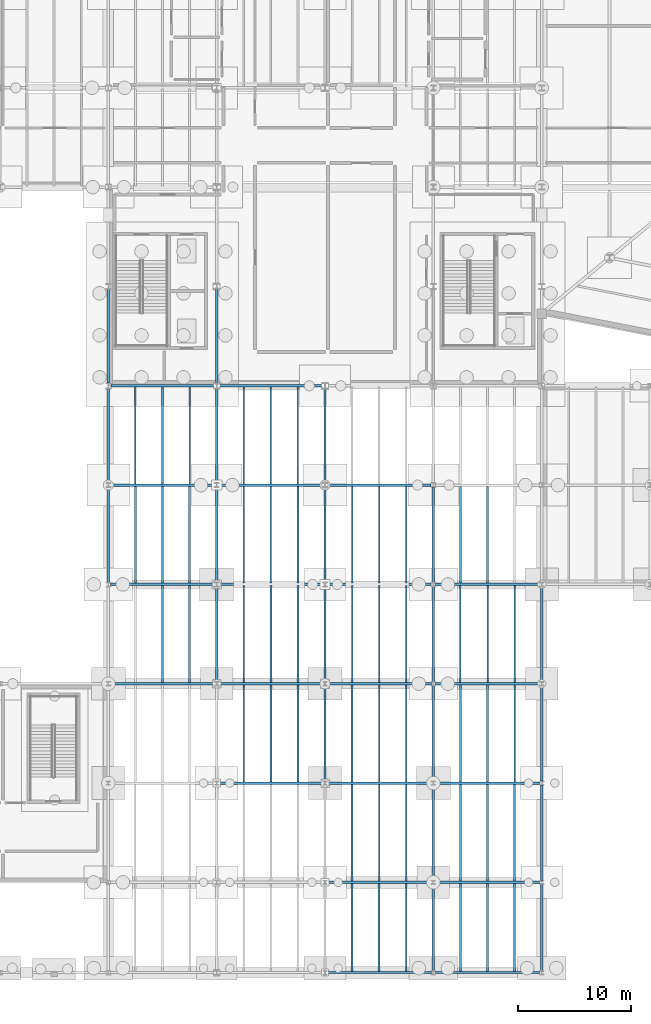
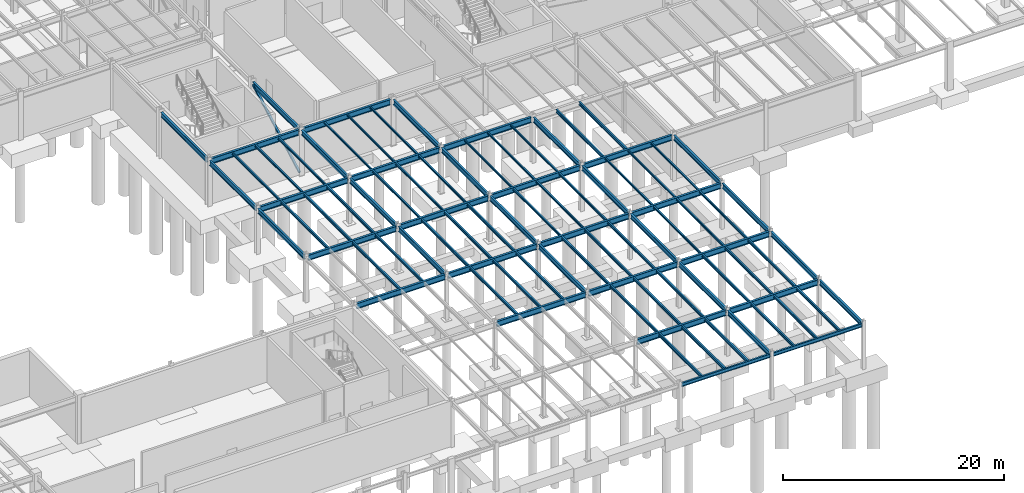
# One storey, part 19 of 48: 89 beams, 1 member.
"""IFC4 building model written with IfcOpenShell, lengths in metres."""

from ifc_helpers import new_model, si_unit, direction, frame, origin, origin_2d, place, context, subcontext, project, spatial, hollow_rectangle, i_section, extrude, material, material_profile, profile_set, type_object, element, save


model = new_model("IFC4")

# Units and contexts
model_context = context("Model", 3, precision=1e-05, world=origin(), true_north=direction((0.0, 1.0)))
body_context = subcontext(model_context, "Body", "Model", "MODEL_VIEW")
ifc_project = project(units=[si_unit("LENGTHUNIT", "METRE"), si_unit("AREAUNIT", "SQUARE_METRE"), si_unit("VOLUMEUNIT", "CUBIC_METRE"), si_unit("PLANEANGLEUNIT", "RADIAN"), si_unit("MASSUNIT", "GRAM", prefix="KILO")], contexts=[model_context])

# Site, building, storey
site_placement = place(None, origin())
site = spatial("IfcSite", under=ifc_project, at=site_placement, CompositionType="ELEMENT")
building_placement = place(site_placement, origin())
building = spatial("IfcBuilding", under=site, at=building_placement, Name="Sarnbrook Museum", CompositionType="ELEMENT")
storey_placement = place(building_placement, frame((0.0, 0.0, -5.39990234375)))
storey = spatial("IfcBuildingStorey", under=building, at=storey_placement, Name="B1", CompositionType="ELEMENT", Elevation=-5.39990234375)

# Beams
ifc_material_1 = material(Name="Structural Steel Grade 300PLUS (AS/NZS 3679.1, fy = 280 MPa for 17 < t <= 40 mm, 300 MPa for t <= 17 mm)", Category="steel")
ifc_material_profile_1 = material_profile(ifc_material_1, i_section(OverallWidth=0.208984375, OverallDepth=0.532958984375, WebThickness=0.01025390625, FlangeThickness=0.015625, FilletRadius=0.013916015625, at=origin_2d()), Name="530UB92.4")
ifc_profile_set_1 = profile_set([ifc_material_profile_1], Name="Structural Steel Grade 300PLUS (AS/NZS 3679.1, fy = 280 MPa for 17 < t <= 40 mm, 300 MPa for t <= 17 mm)")
beam_type_1 = type_object("IfcBeamType", Name="BM-UB530", PredefinedType="BEAM", material=ifc_profile_set_1)
beam_1_placement = place(storey_placement, frame((80.800048828125, 39.39111328125, 4.83349609375), z_axis=(0.0, 1.0, 0.0), x_axis=(-1.0, 0.0, 0.0)))
element("IfcBeam", 1, at=beam_1_placement, inside=storey, type_object=beam_type_1, Name="Girder 9:E-F B1", PredefinedType="BEAM", context=body_context, shape_type="SweptSolid", body=[
    extrude(i_section(OverallWidth=0.208984375, OverallDepth=0.532958984375, WebThickness=0.01025390625, FlangeThickness=0.015625, FilletRadius=0.013916015625, at=origin_2d()), origin(), (0.0, 0.0, 1.0), 8.41796875),
])
beam_2_placement = place(storey_placement, frame((80.800048828125, 48.19091796875, 4.83349609375), z_axis=(0.0, 1.0, 0.0), x_axis=(-1.0, 0.0, 0.0)))
element("IfcBeam", 2, at=beam_2_placement, inside=storey, type_object=beam_type_1, Name="Girder 9:F-G B1", PredefinedType="BEAM", context=body_context, shape_type="SweptSolid", body=[
    extrude(i_section(OverallWidth=0.208984375, OverallDepth=0.532958984375, WebThickness=0.01025390625, FlangeThickness=0.015625, FilletRadius=0.013916015625, at=origin_2d()), origin(), (0.0, 0.0, 1.0), 8.364013671875),
])
beam_3_placement = place(storey_placement, frame((80.800048828125, 57.044921875, 4.83349609375), z_axis=(0.0, 1.0, 0.0), x_axis=(-1.0, 0.0, 0.0)))
element("IfcBeam", 3, at=beam_3_placement, inside=storey, type_object=beam_type_1, Name="Girder 9:G-H B1", PredefinedType="BEAM", context=body_context, shape_type="SweptSolid", body=[
    extrude(i_section(OverallWidth=0.208984375, OverallDepth=0.532958984375, WebThickness=0.01025390625, FlangeThickness=0.015625, FilletRadius=0.013916015625, at=origin_2d()), origin(), (0.0, 0.0, 1.0), 8.31005859375),
])
beam_4_placement = place(storey_placement, frame((90.39990234375, 30.5654296875, 4.83349609375), z_axis=(0.0, 1.0, 0.0), x_axis=(-1.0, 0.0, 0.0)))
element("IfcBeam", 4, at=beam_4_placement, inside=storey, type_object=beam_type_1, Name="Girder 10:D-E B1", PredefinedType="BEAM", context=body_context, shape_type="SweptSolid", body=[
    extrude(i_section(OverallWidth=0.208984375, OverallDepth=0.532958984375, WebThickness=0.01025390625, FlangeThickness=0.015625, FilletRadius=0.013916015625, at=origin_2d()), origin(), (0.0, 0.0, 1.0), 8.443603515625),
])
beam_5_placement = place(storey_placement, frame((90.39990234375, 39.39111328125, 4.83349609375), z_axis=(0.0, 1.0, 0.0), x_axis=(-1.0, 0.0, 0.0)))
element("IfcBeam", 5, at=beam_5_placement, inside=storey, type_object=beam_type_1, Name="Girder 10:E-F B1", PredefinedType="BEAM", context=body_context, shape_type="SweptSolid", body=[
    extrude(i_section(OverallWidth=0.208984375, OverallDepth=0.532958984375, WebThickness=0.01025390625, FlangeThickness=0.015625, FilletRadius=0.013916015625, at=origin_2d()), origin(), (0.0, 0.0, 1.0), 8.41796875),
])
beam_6_placement = place(storey_placement, frame((90.39990234375, 48.19091796875, 4.83349609375), z_axis=(0.0, 1.0, 0.0), x_axis=(-1.0, 0.0, 0.0)))
element("IfcBeam", 6, at=beam_6_placement, inside=storey, type_object=beam_type_1, Name="Girder 10:F-G B1", PredefinedType="BEAM", context=body_context, shape_type="SweptSolid", body=[
    extrude(i_section(OverallWidth=0.208984375, OverallDepth=0.532958984375, WebThickness=0.01025390625, FlangeThickness=0.015625, FilletRadius=0.013916015625, at=origin_2d()), origin(), (0.0, 0.0, 1.0), 8.364013671875),
])
beam_7_placement = place(storey_placement, frame((90.39990234375, 57.044921875, 4.83349609375), z_axis=(0.0, 1.0, 0.0), x_axis=(-1.0, 0.0, 0.0)))
element("IfcBeam", 7, at=beam_7_placement, inside=storey, type_object=beam_type_1, Name="Girder 10:G-H B1", PredefinedType="BEAM", context=body_context, shape_type="SweptSolid", body=[
    extrude(i_section(OverallWidth=0.208984375, OverallDepth=0.532958984375, WebThickness=0.01025390625, FlangeThickness=0.015625, FilletRadius=0.013916015625, at=origin_2d()), origin(), (0.0, 0.0, 1.0), 8.31005859375),
])
beam_8_placement = place(storey_placement, frame((100.0, 21.765380859375, 4.83349609375), z_axis=(0.0, 1.0, 0.0), x_axis=(-1.0, 0.0, 0.0)))
element("IfcBeam", 8, at=beam_8_placement, inside=storey, type_object=beam_type_1, Name="Girder 11:C-D B1", PredefinedType="BEAM", context=body_context, shape_type="SweptSolid", body=[
    extrude(i_section(OverallWidth=0.208984375, OverallDepth=0.532958984375, WebThickness=0.01025390625, FlangeThickness=0.015625, FilletRadius=0.013916015625, at=origin_2d()), origin(), (0.0, 0.0, 1.0), 8.46923828125),
])
beam_9_placement = place(storey_placement, frame((100.0, 30.5654296875, 4.83349609375), z_axis=(0.0, 1.0, 0.0), x_axis=(-1.0, 0.0, 0.0)))
element("IfcBeam", 9, at=beam_9_placement, inside=storey, type_object=beam_type_1, Name="Girder 11:D-E B1", PredefinedType="BEAM", context=body_context, shape_type="SweptSolid", body=[
    extrude(i_section(OverallWidth=0.208984375, OverallDepth=0.532958984375, WebThickness=0.01025390625, FlangeThickness=0.015625, FilletRadius=0.013916015625, at=origin_2d()), origin(), (0.0, 0.0, 1.0), 8.443603515625),
])
beam_10_placement = place(storey_placement, frame((100.0, 39.39111328125, 4.83349609375), z_axis=(0.0, 1.0, 0.0), x_axis=(-1.0, 0.0, 0.0)))
element("IfcBeam", 10, at=beam_10_placement, inside=storey, type_object=beam_type_1, Name="Girder 11:E-F B1", PredefinedType="BEAM", context=body_context, shape_type="SweptSolid", body=[
    extrude(i_section(OverallWidth=0.208984375, OverallDepth=0.532958984375, WebThickness=0.01025390625, FlangeThickness=0.015625, FilletRadius=0.013916015625, at=origin_2d()), origin(), (0.0, 0.0, 1.0), 8.41796875),
])
beam_11_placement = place(storey_placement, frame((100.0, 48.19091796875, 4.83349609375), z_axis=(0.0, 1.0, 0.0), x_axis=(-1.0, 0.0, 0.0)))
element("IfcBeam", 11, at=beam_11_placement, inside=storey, type_object=beam_type_1, Name="Girder 11:F-G B1", PredefinedType="BEAM", context=body_context, shape_type="SweptSolid", body=[
    extrude(i_section(OverallWidth=0.208984375, OverallDepth=0.532958984375, WebThickness=0.01025390625, FlangeThickness=0.015625, FilletRadius=0.013916015625, at=origin_2d()), origin(), (0.0, 0.0, 1.0), 8.364013671875),
])
beam_12_placement = place(storey_placement, frame((109.60009765625, 4.965576171875, 4.83349609375), z_axis=(0.0, 1.0, 0.0), x_axis=(-1.0, 0.0, 0.0)))
element("IfcBeam", 12, at=beam_12_placement, inside=storey, type_object=beam_type_1, Name="Girder 12:A-B B1", PredefinedType="BEAM", context=body_context, shape_type="SweptSolid", body=[
    extrude(i_section(OverallWidth=0.208984375, OverallDepth=0.532958984375, WebThickness=0.01025390625, FlangeThickness=0.015625, FilletRadius=0.013916015625, at=origin_2d()), origin(), (0.0, 0.0, 1.0), 7.6689453125),
])
beam_13_placement = place(storey_placement, frame((109.60009765625, 12.965576171875, 4.83349609375), z_axis=(0.0, 1.0, 0.0), x_axis=(-1.0, 0.0, 0.0)))
element("IfcBeam", 13, at=beam_13_placement, inside=storey, type_object=beam_type_1, Name="Girder 12:B-C B1", PredefinedType="BEAM", context=body_context, shape_type="SweptSolid", body=[
    extrude(i_section(OverallWidth=0.208984375, OverallDepth=0.532958984375, WebThickness=0.01025390625, FlangeThickness=0.015625, FilletRadius=0.013916015625, at=origin_2d()), origin(), (0.0, 0.0, 1.0), 8.468994140625),
])
beam_14_placement = place(storey_placement, frame((109.60009765625, 21.765380859375, 4.83349609375), z_axis=(0.0, 1.0, 0.0), x_axis=(-1.0, 0.0, 0.0)))
element("IfcBeam", 14, at=beam_14_placement, inside=storey, type_object=beam_type_1, Name="Girder 12:C-D B1", PredefinedType="BEAM", context=body_context, shape_type="SweptSolid", body=[
    extrude(i_section(OverallWidth=0.208984375, OverallDepth=0.532958984375, WebThickness=0.01025390625, FlangeThickness=0.015625, FilletRadius=0.013916015625, at=origin_2d()), origin(), (0.0, 0.0, 1.0), 8.46923828125),
])
beam_15_placement = place(storey_placement, frame((109.60009765625, 30.5654296875, 4.83349609375), z_axis=(0.0, 1.0, 0.0), x_axis=(-1.0, 0.0, 0.0)))
element("IfcBeam", 15, at=beam_15_placement, inside=storey, type_object=beam_type_1, Name="Girder 12:D-E B1", PredefinedType="BEAM", context=body_context, shape_type="SweptSolid", body=[
    extrude(i_section(OverallWidth=0.208984375, OverallDepth=0.532958984375, WebThickness=0.01025390625, FlangeThickness=0.015625, FilletRadius=0.013916015625, at=origin_2d()), origin(), (0.0, 0.0, 1.0), 8.443603515625),
])
beam_16_placement = place(storey_placement, frame((109.60009765625, 39.39111328125, 4.83349609375), z_axis=(0.0, 1.0, 0.0), x_axis=(-1.0, 0.0, 0.0)))
element("IfcBeam", 16, at=beam_16_placement, inside=storey, type_object=beam_type_1, Name="Girder 12:E-F B1", PredefinedType="BEAM", context=body_context, shape_type="SweptSolid", body=[
    extrude(i_section(OverallWidth=0.208984375, OverallDepth=0.532958984375, WebThickness=0.01025390625, FlangeThickness=0.015625, FilletRadius=0.013916015625, at=origin_2d()), origin(), (0.0, 0.0, 1.0), 8.41796875),
])
beam_17_placement = place(storey_placement, frame((119.199951171875, 4.965576171875, 4.83349609375), z_axis=(0.0, 1.0, 0.0), x_axis=(-1.0, 0.0, 0.0)))
element("IfcBeam", 17, at=beam_17_placement, inside=storey, type_object=beam_type_1, Name="Girder 13:A-B B1", PredefinedType="BEAM", context=body_context, shape_type="SweptSolid", body=[
    extrude(i_section(OverallWidth=0.208984375, OverallDepth=0.532958984375, WebThickness=0.01025390625, FlangeThickness=0.015625, FilletRadius=0.013916015625, at=origin_2d()), origin(), (0.0, 0.0, 1.0), 7.6689453125),
])
beam_18_placement = place(storey_placement, frame((119.199951171875, 12.965576171875, 4.83349609375), z_axis=(0.0, 1.0, 0.0), x_axis=(-1.0, 0.0, 0.0)))
element("IfcBeam", 18, at=beam_18_placement, inside=storey, type_object=beam_type_1, Name="Girder 13:B-C B1", PredefinedType="BEAM", context=body_context, shape_type="SweptSolid", body=[
    extrude(i_section(OverallWidth=0.208984375, OverallDepth=0.532958984375, WebThickness=0.01025390625, FlangeThickness=0.015625, FilletRadius=0.013916015625, at=origin_2d()), origin(), (0.0, 0.0, 1.0), 8.468994140625),
])
beam_19_placement = place(storey_placement, frame((119.199951171875, 21.765380859375, 4.83349609375), z_axis=(0.0, 1.0, 0.0), x_axis=(-1.0, 0.0, 0.0)))
element("IfcBeam", 19, at=beam_19_placement, inside=storey, type_object=beam_type_1, Name="Girder 13:C-D B1", PredefinedType="BEAM", context=body_context, shape_type="SweptSolid", body=[
    extrude(i_section(OverallWidth=0.208984375, OverallDepth=0.532958984375, WebThickness=0.01025390625, FlangeThickness=0.015625, FilletRadius=0.013916015625, at=origin_2d()), origin(), (0.0, 0.0, 1.0), 8.46923828125),
])
beam_20_placement = place(storey_placement, frame((119.199951171875, 30.5654296875, 4.83349609375), z_axis=(0.0, 1.0, 0.0), x_axis=(-1.0, 0.0, 0.0)))
element("IfcBeam", 20, at=beam_20_placement, inside=storey, type_object=beam_type_1, Name="Girder 13:D-E B1", PredefinedType="BEAM", context=body_context, shape_type="SweptSolid", body=[
    extrude(i_section(OverallWidth=0.208984375, OverallDepth=0.532958984375, WebThickness=0.01025390625, FlangeThickness=0.015625, FilletRadius=0.013916015625, at=origin_2d()), origin(), (0.0, 0.0, 1.0), 8.443603515625),
])
ifc_material_profile_2 = material_profile(ifc_material_1, i_section(OverallWidth=0.22900390625, OverallDepth=0.612060546875, WebThickness=0.011962890625, FlangeThickness=0.01953125, FilletRadius=0.013916015625, at=origin_2d()), Name="610UB125")
ifc_profile_set_2 = profile_set([ifc_material_profile_2], Name="Structural Steel Grade 300PLUS (AS/NZS 3679.1, fy = 280 MPa for 17 < t <= 40 mm, 300 MPa for t <= 17 mm)")
beam_type_2 = type_object("IfcBeamType", Name="BM-UB610H", PredefinedType="BEAM", material=ifc_profile_set_2)
for number, where, z_axis, x_axis, name in (
    (21, (100.175048828125, 12.800048828125, 4.7939453125), (1.0, 0.0, 0.0), (0.0, 1.0, 0.0), "Girder B:11-12 B1"),
    (22, (109.77490234375, 12.800048828125, 4.7939453125), (1.0, 0.0, 0.0), (0.0, 1.0, 0.0), "Girder B:12-13 B1"),
    (23, (90.574951171875, 21.60009765625, 4.7939453125), (1.0, 0.0, 0.0), (0.0, 1.0, 0.0), "Girder C:10-11 B1"),
    (24, (100.175048828125, 21.60009765625, 4.7939453125), (1.0, 0.0, 0.0), (0.0, 1.0, 0.0), "Girder C:11-12 B1"),
    (25, (109.77490234375, 21.60009765625, 4.7939453125), (1.0, 0.0, 0.0), (0.0, 1.0, 0.0), "Girder C:12-13 B1"),
):
    element("IfcBeam", number, at=place(storey_placement, frame(where, z_axis=z_axis, x_axis=x_axis)), inside=storey, type_object=beam_type_2, Name=name, PredefinedType="BEAM", context=body_context, shape_type="SweptSolid", body=[
        extrude(i_section(OverallWidth=0.22900390625, OverallDepth=0.612060546875, WebThickness=0.011962890625, FlangeThickness=0.01953125, FilletRadius=0.013916015625, at=origin_2d()), origin(), (0.0, 0.0, 1.0), 9.25),
    ])
beam_21_placement = place(storey_placement, frame((81.0, 30.39990234375, 4.7939453125), z_axis=(1.0, 0.0, 0.0), x_axis=(0.0, 1.0, 0.0)))
element("IfcBeam", 26, at=beam_21_placement, inside=storey, type_object=beam_type_2, Name="Girder D:9-10 B1", PredefinedType="BEAM", context=body_context, shape_type="SweptSolid", body=[
    extrude(i_section(OverallWidth=0.22900390625, OverallDepth=0.612060546875, WebThickness=0.011962890625, FlangeThickness=0.01953125, FilletRadius=0.013916015625, at=origin_2d()), origin(), (0.0, 0.0, 1.0), 9.22509765625),
])
for number, where, z_axis, x_axis, name in (
    (27, (90.574951171875, 30.39990234375, 4.7939453125), (1.0, 0.0, 0.0), (0.0, 1.0, 0.0), "Girder D:10-11 B1"),
    (28, (100.175048828125, 30.39990234375, 4.7939453125), (1.0, 0.0, 0.0), (0.0, 1.0, 0.0), "Girder D:11-12 B1"),
    (29, (109.77490234375, 30.39990234375, 4.7939453125), (1.0, 0.0, 0.0), (0.0, 1.0, 0.0), "Girder D:12-13 B1"),
):
    element("IfcBeam", number, at=place(storey_placement, frame(where, z_axis=z_axis, x_axis=x_axis)), inside=storey, type_object=beam_type_2, Name=name, PredefinedType="BEAM", context=body_context, shape_type="SweptSolid", body=[
        extrude(i_section(OverallWidth=0.22900390625, OverallDepth=0.612060546875, WebThickness=0.011962890625, FlangeThickness=0.01953125, FilletRadius=0.013916015625, at=origin_2d()), origin(), (0.0, 0.0, 1.0), 9.25),
    ])
for number, where, z_axis, x_axis, name in (
    (30, (81.0, 39.199951171875, 4.7939453125), (1.0, 0.0, 0.0), (0.0, 1.0, 0.0), "Girder E:9-10 B1"),
    (31, (90.60009765625, 39.199951171875, 4.7939453125), (1.0, 0.0, 0.0), (0.0, 1.0, 0.0), "Girder E:10-11 B1"),
    (32, (100.199951171875, 39.199951171875, 4.7939453125), (1.0, 0.0, 0.0), (0.0, 1.0, 0.0), "Girder E:11-12 B1"),
    (33, (109.800048828125, 39.199951171875, 4.7939453125), (1.0, 0.0, 0.0), (0.0, 1.0, 0.0), "Girder E:12-13 B1"),
    (34, (81.0, 48.0, 4.7939453125), (1.0, 0.0, 0.0), (0.0, 1.0, 0.0), "Girder F:9-10 B1"),
    (35, (90.60009765625, 48.0, 4.7939453125), (1.0, 0.0, 0.0), (0.0, 1.0, 0.0), "Girder F:10-11 B1"),
    (36, (100.199951171875, 48.0, 4.7939453125), (1.0, 0.0, 0.0), (0.0, 1.0, 0.0), "Girder F:11-12 B1"),
):
    element("IfcBeam", number, at=place(storey_placement, frame(where, z_axis=z_axis, x_axis=x_axis)), inside=storey, type_object=beam_type_2, Name=name, PredefinedType="BEAM", context=body_context, shape_type="SweptSolid", body=[
        extrude(i_section(OverallWidth=0.22900390625, OverallDepth=0.612060546875, WebThickness=0.011962890625, FlangeThickness=0.01953125, FilletRadius=0.013916015625, at=origin_2d()), origin(), (0.0, 0.0, 1.0), 9.199951171875),
    ])
beam_22_placement = place(storey_placement, frame((81.050048828125, 56.800048828125, 4.7939453125), z_axis=(1.0, 0.0, 0.0), x_axis=(0.0, 1.0, 0.0)))
element("IfcBeam", 37, at=beam_22_placement, inside=storey, type_object=beam_type_2, Name="Girder G:9-10 B1", PredefinedType="BEAM", context=body_context, shape_type="SweptSolid", body=[
    extrude(i_section(OverallWidth=0.22900390625, OverallDepth=0.612060546875, WebThickness=0.011962890625, FlangeThickness=0.01953125, FilletRadius=0.013916015625, at=origin_2d()), origin(), (0.0, 0.0, 1.0), 9.099853515625),
])
beam_23_placement = place(storey_placement, frame((90.64990234375, 56.800048828125, 4.7939453125), z_axis=(1.0, 0.0, 0.0), x_axis=(0.0, 1.0, 0.0)))
element("IfcBeam", 38, at=beam_23_placement, inside=storey, type_object=beam_type_2, Name="Girder G:10-11 B1", PredefinedType="BEAM", context=body_context, shape_type="SweptSolid", body=[
    extrude(i_section(OverallWidth=0.22900390625, OverallDepth=0.612060546875, WebThickness=0.011962890625, FlangeThickness=0.01953125, FilletRadius=0.013916015625, at=origin_2d()), origin(), (0.0, 0.0, 1.0), 9.10009765625),
])

# Member
ifc_material_2 = material(Name="Structural Steel Hollow Section Grade C350L0 (AS/NZS 1163, fy = 350 MPa)", Category="steel")
ifc_material_profile_3 = material_profile(ifc_material_2, hollow_rectangle(XDim=0.199951171875, YDim=0.199951171875, WallThickness=0.010009765625, at=origin_2d()), Name="200x200x10.0SHS")
ifc_profile_set_3 = profile_set([ifc_material_profile_3], Name="Structural Steel Hollow Section Grade C350L0 (AS/NZS 1163, fy = 350 MPa)")
member_type = type_object("IfcMemberType", Name="CH-SHS200", PredefinedType="CHORD", material=ifc_profile_set_3)
member_placement = place(storey_placement, frame((90.39990234375, 56.97998046875, 0.119873046875), z_axis=(0.0, 0.876734792147, 0.480974120135), x_axis=(-1.0, 0.0, 0.0)))
element("IfcMember", 39, at=member_placement, inside=storey, type_object=member_type, Name="Lateral Diagonal Brace CBF-1 B1", PredefinedType="CHORD", context=body_context, shape_type="SweptSolid", body=[
    extrude(hollow_rectangle(XDim=0.199951171875, YDim=0.199951171875, WallThickness=0.010009765625, at=origin_2d()), origin(), (0.0, 0.0, 1.0), 9.62646484375),
])

# Beams
ifc_material_profile_4 = material_profile(ifc_material_1, i_section(OverallWidth=0.134033203125, OverallDepth=0.20703125, WebThickness=0.00634765625, FlangeThickness=0.009521484375, FilletRadius=0.0087890625, at=origin_2d()), Name="200UB29.8")
ifc_profile_set_4 = profile_set([ifc_material_profile_4], Name="Structural Steel Grade 300PLUS (AS/NZS 3679.1, fy = 280 MPa for 17 < t <= 40 mm, 300 MPa for t <= 17 mm)")
beam_type_3 = type_object("IfcBeamType", Name="JS-UB200", PredefinedType="JOIST", material=ifc_profile_set_4)
for number, where, z_axis, x_axis, name in (
    (40, (92.800048828125, 48.114501953125, 4.996337890625), (0.0, 1.0, 0.0), (-1.0, 0.0, 0.0), "Composite Floor Joist 10F-1 B1"),
    (41, (95.199951171875, 48.114501953125, 4.996337890625), (0.0, 1.0, 0.0), (-1.0, 0.0, 0.0), "Composite Floor Joist 10F-2 B1"),
    (42, (97.60009765625, 48.114501953125, 4.996337890625), (0.0, 1.0, 0.0), (-1.0, 0.0, 0.0), "Composite Floor Joist 10F-3 B1"),
    (43, (102.39990234375, 39.314453125, 4.996337890625), (0.0, 1.0, 0.0), (-1.0, 0.0, 0.0), "Composite Floor Joist 11E-1 B1"),
    (44, (104.800048828125, 39.314453125, 4.996337890625), (0.0, 1.0, 0.0), (-1.0, 0.0, 0.0), "Composite Floor Joist 11E-2 B1"),
    (45, (107.199951171875, 39.314453125, 4.996337890625), (0.0, 1.0, 0.0), (-1.0, 0.0, 0.0), "Composite Floor Joist 11E-3 B1"),
    (46, (112.0, 30.514404296875, 4.996337890625), (0.0, 1.0, 0.0), (-1.0, 0.0, 0.0), "Composite Floor Joist 12D-1 B1"),
    (47, (114.39990234375, 30.514404296875, 4.996337890625), (0.0, 1.0, 0.0), (-1.0, 0.0, 0.0), "Composite Floor Joist 12D-2 B1"),
    (48, (116.800048828125, 30.514404296875, 4.996337890625), (0.0, 1.0, 0.0), (-1.0, 0.0, 0.0), "Composite Floor Joist 12D-3 B1"),
):
    element("IfcBeam", number, at=place(storey_placement, frame(where, z_axis=z_axis, x_axis=x_axis)), inside=storey, type_object=beam_type_3, Name=name, PredefinedType="JOIST", context=body_context, shape_type="SweptSolid", body=[
        extrude(i_section(OverallWidth=0.134033203125, OverallDepth=0.20703125, WebThickness=0.00634765625, FlangeThickness=0.009521484375, FilletRadius=0.0087890625, at=origin_2d()), origin(), (0.0, 0.0, 1.0), 8.571044921875),
    ])
ifc_material_profile_5 = material_profile(ifc_material_1, i_section(OverallWidth=0.14599609375, OverallDepth=0.256103515625, WebThickness=0.00634765625, FlangeThickness=0.010986328125, FilletRadius=0.0087890625, at=origin_2d()), Name="250UB37.3")
ifc_profile_set_5 = profile_set([ifc_material_profile_5], Name="Structural Steel Grade 300PLUS (AS/NZS 3679.1, fy = 280 MPa for 17 < t <= 40 mm, 300 MPa for t <= 17 mm)")
beam_type_4 = type_object("IfcBeamType", Name="JS-UB250", PredefinedType="JOIST", material=ifc_profile_set_5)
for number, where, z_axis, x_axis, name in (
    (49, (83.199951171875, 48.114501953125, 4.971923828125), (0.0, 1.0, 0.0), (-1.0, 0.0, 0.0), "Composite Floor Joist 9F-1 B1"),
    (50, (85.60009765625, 48.114501953125, 4.971923828125), (0.0, 1.0, 0.0), (-1.0, 0.0, 0.0), "Composite Floor Joist 9F-2 B1"),
    (51, (88.0, 48.114501953125, 4.971923828125), (0.0, 1.0, 0.0), (-1.0, 0.0, 0.0), "Composite Floor Joist 9F-3 B1"),
    (52, (92.800048828125, 39.314453125, 4.971923828125), (0.0, 1.0, 0.0), (-1.0, 0.0, 0.0), "Composite Floor Joist 10E-1 B1"),
    (53, (95.199951171875, 39.314453125, 4.971923828125), (0.0, 1.0, 0.0), (-1.0, 0.0, 0.0), "Composite Floor Joist 10E-2 B1"),
    (54, (97.60009765625, 39.314453125, 4.971923828125), (0.0, 1.0, 0.0), (-1.0, 0.0, 0.0), "Composite Floor Joist 10E-3 B1"),
    (55, (102.39990234375, 30.514404296875, 4.971923828125), (0.0, 1.0, 0.0), (-1.0, 0.0, 0.0), "Composite Floor Joist 11D-1 B1"),
    (56, (104.800048828125, 30.514404296875, 4.971923828125), (0.0, 1.0, 0.0), (-1.0, 0.0, 0.0), "Composite Floor Joist 11D-2 B1"),
    (57, (107.199951171875, 30.514404296875, 4.971923828125), (0.0, 1.0, 0.0), (-1.0, 0.0, 0.0), "Composite Floor Joist 11D-3 B1"),
):
    element("IfcBeam", number, at=place(storey_placement, frame(where, z_axis=z_axis, x_axis=x_axis)), inside=storey, type_object=beam_type_4, Name=name, PredefinedType="JOIST", context=body_context, shape_type="SweptSolid", body=[
        extrude(i_section(OverallWidth=0.14599609375, OverallDepth=0.256103515625, WebThickness=0.00634765625, FlangeThickness=0.010986328125, FilletRadius=0.0087890625, at=origin_2d()), origin(), (0.0, 0.0, 1.0), 8.571044921875),
    ])
for number, where, z_axis, x_axis, name in (
    (58, (112.0, 21.714599609375, 4.971923828125), (0.0, 1.0, 0.0), (-1.0, 0.0, 0.0), "Composite Floor Joist 12C-1 B1"),
    (59, (114.39990234375, 21.714599609375, 4.971923828125), (0.0, 1.0, 0.0), (-1.0, 0.0, 0.0), "Composite Floor Joist 12C-2 B1"),
    (60, (116.800048828125, 21.714599609375, 4.971923828125), (0.0, 1.0, 0.0), (-1.0, 0.0, 0.0), "Composite Floor Joist 12C-3 B1"),
):
    element("IfcBeam", number, at=place(storey_placement, frame(where, z_axis=z_axis, x_axis=x_axis)), inside=storey, type_object=beam_type_4, Name=name, PredefinedType="JOIST", context=body_context, shape_type="SweptSolid", body=[
        extrude(i_section(OverallWidth=0.14599609375, OverallDepth=0.256103515625, WebThickness=0.00634765625, FlangeThickness=0.010986328125, FilletRadius=0.0087890625, at=origin_2d()), origin(), (0.0, 0.0, 1.0), 8.57080078125),
    ])
ifc_material_profile_6 = material_profile(ifc_material_1, i_section(OverallWidth=0.1650390625, OverallDepth=0.303955078125, WebThickness=0.006103515625, FlangeThickness=0.01025390625, FilletRadius=0.011474609375, at=origin_2d()), Name="310UB40.4")
ifc_profile_set_6 = profile_set([ifc_material_profile_6], Name="Structural Steel Grade 300PLUS (AS/NZS 3679.1, fy = 280 MPa for 17 < t <= 40 mm, 300 MPa for t <= 17 mm)")
beam_type_5 = type_object("IfcBeamType", Name="JS-UB310", PredefinedType="JOIST", material=ifc_profile_set_6)
for number, where, z_axis, x_axis, name in (
    (61, (83.199951171875, 39.314453125, 4.947998046875), (0.0, 1.0, 0.0), (-1.0, 0.0, 0.0), "Composite Floor Joist 9E-1 B1"),
    (62, (85.60009765625, 39.314453125, 4.947998046875), (0.0, 1.0, 0.0), (-1.0, 0.0, 0.0), "Composite Floor Joist 9E-2 B1"),
    (63, (88.0, 39.314453125, 4.947998046875), (0.0, 1.0, 0.0), (-1.0, 0.0, 0.0), "Composite Floor Joist 9E-3 B1"),
    (64, (92.800048828125, 30.514404296875, 4.947998046875), (0.0, 1.0, 0.0), (-1.0, 0.0, 0.0), "Composite Floor Joist 10D-1 B1"),
    (65, (95.199951171875, 30.514404296875, 4.947998046875), (0.0, 1.0, 0.0), (-1.0, 0.0, 0.0), "Composite Floor Joist 10D-2 B1"),
    (66, (97.60009765625, 30.514404296875, 4.947998046875), (0.0, 1.0, 0.0), (-1.0, 0.0, 0.0), "Composite Floor Joist 10D-3 B1"),
):
    element("IfcBeam", number, at=place(storey_placement, frame(where, z_axis=z_axis, x_axis=x_axis)), inside=storey, type_object=beam_type_5, Name=name, PredefinedType="JOIST", context=body_context, shape_type="SweptSolid", body=[
        extrude(i_section(OverallWidth=0.1650390625, OverallDepth=0.303955078125, WebThickness=0.006103515625, FlangeThickness=0.01025390625, FilletRadius=0.011474609375, at=origin_2d()), origin(), (0.0, 0.0, 1.0), 8.571044921875),
    ])
for number, where, z_axis, x_axis, name in (
    (67, (102.39990234375, 21.714599609375, 4.947998046875), (0.0, 1.0, 0.0), (-1.0, 0.0, 0.0), "Composite Floor Joist 11C-1 B1"),
    (68, (104.800048828125, 21.714599609375, 4.947998046875), (0.0, 1.0, 0.0), (-1.0, 0.0, 0.0), "Composite Floor Joist 11C-2 B1"),
    (69, (107.199951171875, 21.714599609375, 4.947998046875), (0.0, 1.0, 0.0), (-1.0, 0.0, 0.0), "Composite Floor Joist 11C-3 B1"),
):
    element("IfcBeam", number, at=place(storey_placement, frame(where, z_axis=z_axis, x_axis=x_axis)), inside=storey, type_object=beam_type_5, Name=name, PredefinedType="JOIST", context=body_context, shape_type="SweptSolid", body=[
        extrude(i_section(OverallWidth=0.1650390625, OverallDepth=0.303955078125, WebThickness=0.006103515625, FlangeThickness=0.01025390625, FilletRadius=0.011474609375, at=origin_2d()), origin(), (0.0, 0.0, 1.0), 8.57080078125),
    ])
for number, where, z_axis, x_axis, name in (
    (70, (112.0, 12.91455078125, 4.947998046875), (0.0, 1.0, 0.0), (-1.0, 0.0, 0.0), "Composite Floor Joist 12B-1 B1"),
    (71, (114.39990234375, 12.91455078125, 4.947998046875), (0.0, 1.0, 0.0), (-1.0, 0.0, 0.0), "Composite Floor Joist 12B-2 B1"),
    (72, (116.800048828125, 12.91455078125, 4.947998046875), (0.0, 1.0, 0.0), (-1.0, 0.0, 0.0), "Composite Floor Joist 12B-3 B1"),
):
    element("IfcBeam", number, at=place(storey_placement, frame(where, z_axis=z_axis, x_axis=x_axis)), inside=storey, type_object=beam_type_5, Name=name, PredefinedType="JOIST", context=body_context, shape_type="SweptSolid", body=[
        extrude(i_section(OverallWidth=0.1650390625, OverallDepth=0.303955078125, WebThickness=0.006103515625, FlangeThickness=0.01025390625, FilletRadius=0.011474609375, at=origin_2d()), origin(), (0.0, 0.0, 1.0), 8.571044921875),
    ])
ifc_material_profile_7 = material_profile(ifc_material_1, i_section(OverallWidth=0.166015625, OverallDepth=0.306884765625, WebThickness=0.006591796875, FlangeThickness=0.01171875, FilletRadius=0.011474609375, at=origin_2d()), Name="310UB46.2")
ifc_profile_set_7 = profile_set([ifc_material_profile_7], Name="Structural Steel Grade 300PLUS (AS/NZS 3679.1, fy = 280 MPa for 17 < t <= 40 mm, 300 MPa for t <= 17 mm)")
beam_type_6 = type_object("IfcBeamType", Name="JS-UB310H", PredefinedType="JOIST", material=ifc_profile_set_7)
for number, where, z_axis, x_axis, name in (
    (73, (85.60009765625, 30.514404296875, 4.9462890625), (0.0, 1.0, 0.0), (-1.0, 0.0, 0.0), "Composite Floor Joist 9D-2 B1"),
    (74, (88.0, 30.514404296875, 4.9462890625), (0.0, 1.0, 0.0), (-1.0, 0.0, 0.0), "Composite Floor Joist 9D-3 B1"),
):
    element("IfcBeam", number, at=place(storey_placement, frame(where, z_axis=z_axis, x_axis=x_axis)), inside=storey, type_object=beam_type_6, Name=name, PredefinedType="JOIST", context=body_context, shape_type="SweptSolid", body=[
        extrude(i_section(OverallWidth=0.166015625, OverallDepth=0.306884765625, WebThickness=0.006591796875, FlangeThickness=0.01171875, FilletRadius=0.011474609375, at=origin_2d()), origin(), (0.0, 0.0, 1.0), 8.571044921875),
    ])
for number, where, z_axis, x_axis, name in (
    (75, (92.800048828125, 21.714599609375, 4.9462890625), (0.0, 1.0, 0.0), (-1.0, 0.0, 0.0), "Composite Floor Joist 10C-1 B1"),
    (76, (95.199951171875, 21.714599609375, 4.9462890625), (0.0, 1.0, 0.0), (-1.0, 0.0, 0.0), "Composite Floor Joist 10C-2 B1"),
    (77, (97.60009765625, 21.714599609375, 4.9462890625), (0.0, 1.0, 0.0), (-1.0, 0.0, 0.0), "Composite Floor Joist 10C-3 B1"),
):
    element("IfcBeam", number, at=place(storey_placement, frame(where, z_axis=z_axis, x_axis=x_axis)), inside=storey, type_object=beam_type_6, Name=name, PredefinedType="JOIST", context=body_context, shape_type="SweptSolid", body=[
        extrude(i_section(OverallWidth=0.166015625, OverallDepth=0.306884765625, WebThickness=0.006591796875, FlangeThickness=0.01171875, FilletRadius=0.011474609375, at=origin_2d()), origin(), (0.0, 0.0, 1.0), 8.57080078125),
    ])
for number, where, z_axis, x_axis, name in (
    (78, (102.39990234375, 12.91455078125, 4.9462890625), (0.0, 1.0, 0.0), (-1.0, 0.0, 0.0), "Composite Floor Joist 11B-1 B1"),
    (79, (104.800048828125, 12.91455078125, 4.9462890625), (0.0, 1.0, 0.0), (-1.0, 0.0, 0.0), "Composite Floor Joist 11B-2 B1"),
    (80, (107.199951171875, 12.91455078125, 4.9462890625), (0.0, 1.0, 0.0), (-1.0, 0.0, 0.0), "Composite Floor Joist 11B-3 B1"),
):
    element("IfcBeam", number, at=place(storey_placement, frame(where, z_axis=z_axis, x_axis=x_axis)), inside=storey, type_object=beam_type_6, Name=name, PredefinedType="JOIST", context=body_context, shape_type="SweptSolid", body=[
        extrude(i_section(OverallWidth=0.166015625, OverallDepth=0.306884765625, WebThickness=0.006591796875, FlangeThickness=0.01171875, FilletRadius=0.011474609375, at=origin_2d()), origin(), (0.0, 0.0, 1.0), 8.571044921875),
    ])
for number, where, z_axis, x_axis, name in (
    (81, (112.0, 4.888916015625, 4.9462890625), (0.0, 1.0, 0.0), (-1.0, 0.0, 0.0), "Composite Floor Joist 12A-1 B1"),
    (82, (114.39990234375, 4.888916015625, 4.9462890625), (0.0, 1.0, 0.0), (-1.0, 0.0, 0.0), "Composite Floor Joist 12A-2 B1"),
    (83, (116.800048828125, 4.888916015625, 4.9462890625), (0.0, 1.0, 0.0), (-1.0, 0.0, 0.0), "Composite Floor Joist 12A-3 B1"),
):
    element("IfcBeam", number, at=place(storey_placement, frame(where, z_axis=z_axis, x_axis=x_axis)), inside=storey, type_object=beam_type_6, Name=name, PredefinedType="JOIST", context=body_context, shape_type="SweptSolid", body=[
        extrude(i_section(OverallWidth=0.166015625, OverallDepth=0.306884765625, WebThickness=0.006591796875, FlangeThickness=0.01171875, FilletRadius=0.011474609375, at=origin_2d()), origin(), (0.0, 0.0, 1.0), 7.796630859375),
    ])
ifc_material_profile_8 = material_profile(ifc_material_1, i_section(OverallWidth=0.1708984375, OverallDepth=0.35595703125, WebThickness=0.00732421875, FlangeThickness=0.011474609375, FilletRadius=0.011474609375, at=origin_2d()), Name="360UB50.7")
ifc_profile_set_8 = profile_set([ifc_material_profile_8], Name="Structural Steel Grade 300PLUS (AS/NZS 3679.1, fy = 280 MPa for 17 < t <= 40 mm, 300 MPa for t <= 17 mm)")
beam_type_7 = type_object("IfcBeamType", Name="JS-UB360", PredefinedType="JOIST", material=ifc_profile_set_8)
for number, where, z_axis, x_axis, name in (
    (84, (102.39990234375, 4.888916015625, 4.921875), (0.0, 1.0, 0.0), (-1.0, 0.0, 0.0), "Composite Floor Joist 11A-1 B1"),
    (85, (104.800048828125, 4.888916015625, 4.921875), (0.0, 1.0, 0.0), (-1.0, 0.0, 0.0), "Composite Floor Joist 11A-2 B1"),
    (86, (107.199951171875, 4.888916015625, 4.921875), (0.0, 1.0, 0.0), (-1.0, 0.0, 0.0), "Composite Floor Joist 11A-3 B1"),
):
    element("IfcBeam", number, at=place(storey_placement, frame(where, z_axis=z_axis, x_axis=x_axis)), inside=storey, type_object=beam_type_7, Name=name, PredefinedType="JOIST", context=body_context, shape_type="SweptSolid", body=[
        extrude(i_section(OverallWidth=0.1708984375, OverallDepth=0.35595703125, WebThickness=0.00732421875, FlangeThickness=0.011474609375, FilletRadius=0.011474609375, at=origin_2d()), origin(), (0.0, 0.0, 1.0), 7.796630859375),
    ])
for number, where, z_axis, x_axis, name in (
    (87, (112.0, 39.314453125, 4.921875), (0.0, 1.0, 0.0), (-1.0, 0.0, 0.0), "Composite Floor Joist 12E-1 B1"),
    (88, (114.39990234375, 39.314453125, 4.921875), (0.0, 1.0, 0.0), (-1.0, 0.0, 0.0), "Composite Floor Joist 12E-2 B1"),
):
    element("IfcBeam", number, at=place(storey_placement, frame(where, z_axis=z_axis, x_axis=x_axis)), inside=storey, type_object=beam_type_7, Name=name, PredefinedType="JOIST", context=body_context, shape_type="SweptSolid", body=[
        extrude(i_section(OverallWidth=0.1708984375, OverallDepth=0.35595703125, WebThickness=0.00732421875, FlangeThickness=0.011474609375, FilletRadius=0.011474609375, at=origin_2d()), origin(), (0.0, 0.0, 1.0), 8.571044921875),
    ])
ifc_material_profile_9 = material_profile(ifc_material_1, i_section(OverallWidth=0.177978515625, OverallDepth=0.406005859375, WebThickness=0.0078125, FlangeThickness=0.0126953125, FilletRadius=0.011474609375, at=origin_2d()), Name="410UB59.7")
ifc_profile_set_9 = profile_set([ifc_material_profile_9], Name="Structural Steel Grade 300PLUS (AS/NZS 3679.1, fy = 280 MPa for 17 < t <= 40 mm, 300 MPa for t <= 17 mm)")
beam_type_8 = type_object("IfcBeamType", Name="SP-UB410", PredefinedType="SPANDREL", material=ifc_profile_set_9)
for number, where, z_axis, x_axis, name in (
    (89, (100.175048828125, 4.800048828125, 4.89697265625), (1.0, 0.0, 0.0), (0.0, 1.0, 0.0), "Girder A:11-12 B1"),
    (90, (109.77490234375, 4.800048828125, 4.89697265625), (1.0, 0.0, 0.0), (0.0, 1.0, 0.0), "Girder A:12-13 B1"),
):
    element("IfcBeam", number, at=place(storey_placement, frame(where, z_axis=z_axis, x_axis=x_axis)), inside=storey, type_object=beam_type_8, Name=name, PredefinedType="SPANDREL", context=body_context, shape_type="SweptSolid", body=[
        extrude(i_section(OverallWidth=0.177978515625, OverallDepth=0.406005859375, WebThickness=0.0078125, FlangeThickness=0.0126953125, FilletRadius=0.011474609375, at=origin_2d()), origin(), (0.0, 0.0, 1.0), 9.25),
    ])

save(model, "model.ifc")
